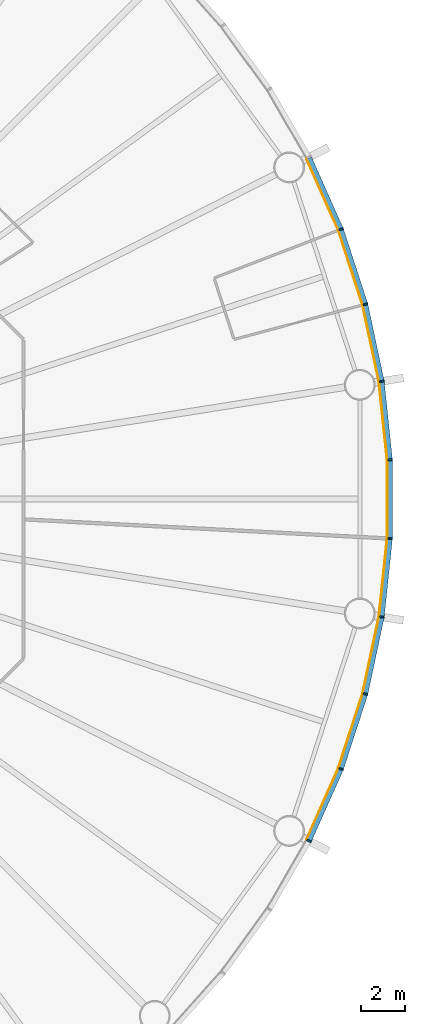
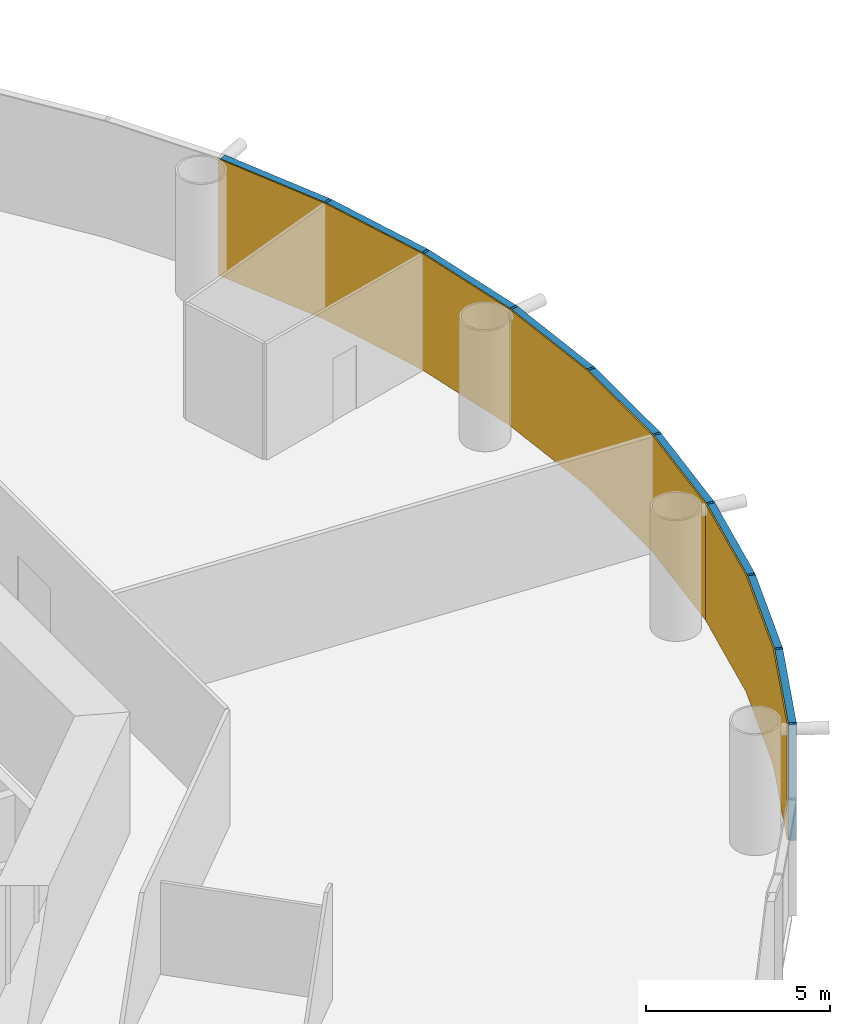
# One storey, part 10 of 12: 18 members, 3 curtain walls.
"""IFC4 building model written with IfcOpenShell, lengths in metres."""

import ifcopenshell
import ifcopenshell.guid

model = None  # the IFC model being written
_history = None  # IfcOwnerHistory: only IFC2X3 demands one
_inside = {}  # id of a spatial element -> (the spatial element, [elements in it])
_under = {}  # id of a project, library or spatial element -> (it, [spatial elements below it])
_declared = {}  # id of a project -> (the project, [libraries it declares])
_typed = {}  # id of a type object -> (the type object, [elements of that type])
_made_of = {}  # id of a material, layer set ... -> (it, [elements and type objects made of it])


def new_model(schema):
    """Start an empty IFC model of exactly this schema.

    Asked for "IFC4X3", IfcOpenShell would pick the latest addendum, in which some entities
    have other attributes; the version numbers below select the first issue.
    IFC2X3 requires an IfcOwnerHistory on every rooted entity: one is made here for all.
    """
    global model, _history
    if schema == "IFC4X3":
        model = ifcopenshell.file(schema_version=(4, 3, 0, 0))
    else:
        model = ifcopenshell.file(schema=schema)
    _inside.clear()
    _under.clear()
    _declared.clear()
    _typed.clear()
    _made_of.clear()
    _history = None
    if model.schema == "IFC2X3":
        org = make("IfcOrganization", Name="unknown")
        user = make(
            "IfcPersonAndOrganization",
            ThePerson=make("IfcPerson", FamilyName="unknown"),
            TheOrganization=org,
        )
        app = make(
            "IfcApplication",
            ApplicationDeveloper=org,
            Version="unknown",
            ApplicationFullName="unknown",
            ApplicationIdentifier="unknown",
        )
        _history = make(
            "IfcOwnerHistory",
            OwningUser=user,
            OwningApplication=app,
            ChangeAction="ADDED",
            CreationDate=0,
        )
    return model


def make(cls, **values):
    """One entity of the class cls with the attributes given. An attribute that is None is left unset."""
    return model.create_entity(
        cls, **{name: value for name, value in values.items() if value is not None}
    )


def rooted(cls, **values):
    """An entity with a GlobalId (a new one), such as an element, a storey or a relation."""
    return make(cls, GlobalId=ifcopenshell.guid.new(), OwnerHistory=_history, **values)


def si_unit(unit_type, name, prefix=None):
    """IfcSIUnit, for example si_unit("LENGTHUNIT", "METRE", prefix="MILLI")."""
    return make("IfcSIUnit", UnitType=unit_type, Prefix=prefix, Name=name)


def assignment(units):
    """IfcUnitAssignment: the units of a project."""
    return None if units is None else make("IfcUnitAssignment", Units=units)


def point(xyz):
    """IfcCartesianPoint."""
    return None if xyz is None else make("IfcCartesianPoint", Coordinates=xyz)


def direction(xyz):
    """IfcDirection."""
    return None if xyz is None else make("IfcDirection", DirectionRatios=xyz)


def frame(location, z_axis=None, x_axis=None):
    """IfcAxis2Placement3D, a coordinate frame: its origin and axes. An axis left out is left unset."""
    return make(
        "IfcAxis2Placement3D",
        Location=point(location),
        Axis=direction(z_axis),
        RefDirection=direction(x_axis),
    )


def frame_2d(location, x_axis=None):
    """IfcAxis2Placement2D, a coordinate frame in the plane: its origin and x axis."""
    return make(
        "IfcAxis2Placement2D", Location=point(location), RefDirection=direction(x_axis)
    )


def origin():
    """The frame at (0, 0, 0) with its axes left unset."""
    return frame((0.0, 0.0, 0.0))


def origin_2d():
    """The frame at (0, 0) in the plane with its x axis left unset."""
    return frame_2d((0.0, 0.0))


def place(relative_to, where):
    """IfcLocalPlacement: puts the frame where relative to a parent placement (None: the world)."""
    return make(
        "IfcLocalPlacement", PlacementRelTo=relative_to, RelativePlacement=where
    )


def context(
    kind, dimensions, precision=None, world=None, true_north=None, identifier=None
):
    """IfcGeometricRepresentationContext, for example the 3D "Model" context."""
    return make(
        "IfcGeometricRepresentationContext",
        ContextIdentifier=identifier,
        ContextType=kind,
        CoordinateSpaceDimension=dimensions,
        Precision=precision,
        WorldCoordinateSystem=world,
        TrueNorth=true_north,
    )


def subcontext(parent, identifier, kind, view, scale=None):
    """IfcGeometricRepresentationSubContext, for example "Body" below "Model"."""
    return make(
        "IfcGeometricRepresentationSubContext",
        ContextIdentifier=identifier,
        ContextType=kind,
        ParentContext=parent,
        TargetScale=scale,
        TargetView=view,
    )


def project(units=None, contexts=None):
    """IfcProject with its units and contexts."""
    return rooted(
        "IfcProject",
        Name="project",
        RepresentationContexts=contexts,
        UnitsInContext=assignment(units),
    )


def spatial(cls, under=None, at=None, **own):
    """A site, building, storey or space (cls), placed at a placement, below another one or the project."""
    s = rooted(cls, ObjectPlacement=at, **own)
    if under is not None:
        _under.setdefault(under.id(), (under, []))[1].append(s)
    return s


def polyline(points):
    """IfcPolyline through the points."""
    return make("IfcPolyline", Points=[point(p) for p in points])


def profile(cls, at=None, kind="AREA", **sizes):
    """A parametric profile (cls). Its sizes go by their IFC names, for example OverallWidth=200.0."""
    return make(cls, ProfileType=kind, Position=at, **sizes)


def rectangle(**sizes):
    """IfcRectangleProfileDef."""
    return profile("IfcRectangleProfileDef", **sizes)


def outline(outer, holes=None, kind="AREA"):
    """IfcArbitraryClosedProfileDef: a profile drawn as a closed curve; with holes, ...WithVoids."""
    if holes is None:
        return make("IfcArbitraryClosedProfileDef", ProfileType=kind, OuterCurve=outer)
    return make(
        "IfcArbitraryProfileDefWithVoids",
        ProfileType=kind,
        OuterCurve=outer,
        InnerCurves=holes,
    )


def extrude(swept, where, along, depth):
    """IfcExtrudedAreaSolid: the profile swept, set in the frame where, extruded along a direction by depth."""
    return make(
        "IfcExtrudedAreaSolid",
        SweptArea=swept,
        Position=where,
        ExtrudedDirection=direction(along),
        Depth=depth,
    )


def shape(context_of_items, identifier, shape_type, items):
    """IfcShapeRepresentation: the items that make up one representation, for example the "Body"."""
    return make(
        "IfcShapeRepresentation",
        ContextOfItems=context_of_items,
        RepresentationIdentifier=identifier,
        RepresentationType=shape_type,
        Items=items,
    )


def material(Name=None, Category=None):
    """IfcMaterial."""
    return make("IfcMaterial", Name=Name, Category=Category)


def layer(
    of_material, thickness, ventilated=None, Name=None, Category=None, Priority=None
):
    """IfcMaterialLayer: one layer of a wall or slab, of a material (None: an air gap)."""
    return make(
        "IfcMaterialLayer",
        Material=of_material,
        LayerThickness=thickness,
        IsVentilated=ventilated,
        Name=Name,
        Category=Category,
        Priority=Priority,
    )


def layer_set(layers, Name=None):
    """IfcMaterialLayerSet."""
    return make("IfcMaterialLayerSet", MaterialLayers=layers, LayerSetName=Name)


def material_profile(
    of_material, cross_section, Name=None, Category=None, Priority=None
):
    """IfcMaterialProfile: a cross section and its material."""
    return make(
        "IfcMaterialProfile",
        Name=Name,
        Material=of_material,
        Profile=cross_section,
        Priority=Priority,
        Category=Category,
    )


def profile_set(profiles, Name=None, composite=None):
    """IfcMaterialProfileSet."""
    return make(
        "IfcMaterialProfileSet",
        Name=Name,
        MaterialProfiles=profiles,
        CompositeProfile=composite,
    )


def made_of(thing, what):
    """Note that an element or type object is made of a material, layer set ...; save() writes the relation."""
    if what is not None:
        _made_of.setdefault(what.id(), (what, []))[1].append(thing)
    return thing


def type_object(cls, material=None, **own):
    """A type object (cls), such as IfcWallType, which elements share."""
    return made_of(rooted(cls, **own), material)


def element(
    cls,
    number,
    at=None,
    inside=None,
    cuts=None,
    type_object=None,
    material=None,
    context=None,
    identifier="Body",
    shape_type=None,
    held_by="IfcProductDefinitionShape",
    body=None,
    shapes=None,
    **own,
):
    """One element of the class cls, such as IfcWall. Its Tag is "e" and its number.

    at: its placement. inside: the storey or other place that contains it. cuts: it is an
    opening in that element (IfcRelVoidsElement). A single representation is given by context,
    identifier, shape_type and body (its items); several are given by shapes. held_by: the class
    of the entity that holds the representations. save() writes the other relations.
    """
    e = rooted(cls, Tag="e%d" % number, ObjectPlacement=at, **own)
    if body is not None:
        shapes = [shape(context, identifier, shape_type, body)]
    if shapes is not None:
        e.Representation = make(held_by, Representations=shapes)
    if inside is not None:
        _inside.setdefault(inside.id(), (inside, []))[1].append(e)
    if cuts is not None:
        rooted(
            "IfcRelVoidsElement", RelatingBuildingElement=cuts, RelatedOpeningElement=e
        )
    if type_object is not None:
        _typed.setdefault(type_object.id(), (type_object, []))[1].append(e)
    return made_of(e, material)


def aggregate(whole, parts):
    """IfcRelAggregates: a whole, such as a stair, and the parts it consists of."""
    return rooted("IfcRelAggregates", RelatingObject=whole, RelatedObjects=parts)


def save(model, path):
    """Write the relations noted so far, then the file.

    IfcRelAggregates (storeys below a building ...), IfcRelContainedInSpatialStructure (elements
    in a storey), IfcRelDefinesByType, IfcRelAssociatesMaterial and IfcRelDeclares: one each for
    every whole, place, type object, material and project.
    """
    for whole, parts in _under.values():
        aggregate(whole, parts)
    for where, things in _inside.values():
        rooted(
            "IfcRelContainedInSpatialStructure",
            RelatedElements=things,
            RelatingStructure=where,
        )
    for kind, things in _typed.values():
        rooted("IfcRelDefinesByType", RelatedObjects=things, RelatingType=kind)
    for what, things in _made_of.values():
        rooted("IfcRelAssociatesMaterial", RelatedObjects=things, RelatingMaterial=what)
    for by, libraries in _declared.values():
        rooted("IfcRelDeclares", RelatingContext=by, RelatedDefinitions=libraries)
    model.write(path)


model = new_model("IFC4")

# Units and contexts
model_context = context("Model", 3, precision=1e-05, world=origin(), true_north=direction((0.0, 1.0)))
body_context = subcontext(model_context, "Body", "Model", "MODEL_VIEW")
ifc_project = project(units=[si_unit("LENGTHUNIT", "METRE"), si_unit("AREAUNIT", "SQUARE_METRE"), si_unit("VOLUMEUNIT", "CUBIC_METRE"), si_unit("PLANEANGLEUNIT", "RADIAN"), si_unit("MASSUNIT", "GRAM", prefix="KILO")], contexts=[model_context])

# Member
ifc_material_1 = material(Name="Anodised aluminium", Category="aluminium")
ifc_material_profile_1 = material_profile(ifc_material_1, rectangle(XDim=0.074951171875, YDim=0.219970703125, at=origin_2d()), Name="Mullion 75 x 220 mm anodised aluminium")
ifc_profile_set_1 = profile_set([ifc_material_profile_1], Name="Anodised aluminium")
member_type_1 = type_object("IfcMemberType", Name="Mullion 75 x 220 mm anodised aluminium", PredefinedType="MULLION", material=ifc_profile_set_1)
site_placement = place(None, origin())
building_placement = place(site_placement, origin())
storey_placement = place(building_placement, frame((0.0, 0.0, 70.0)))
member_1_placement = place(storey_placement, frame((123.68994140625, 85.3359375, 0.0), z_axis=(0.0, 0.0, 1.0), x_axis=(-0.15643446504, 0.987688340595, 0.0)))
member_1 = element("IfcMember", 1, at=member_1_placement, type_object=member_type_1, Name="MULLION L15-00", PredefinedType="MULLION", context=body_context, shape_type="SweptSolid", body=[
    extrude(rectangle(XDim=0.074951171875, YDim=0.219970703125, at=origin_2d()), origin(), (0.0, 0.0, 1.0), 3.85009765625),
])

member_2_placement = place(storey_placement, frame((122.94775390625, 88.828369140625, 0.0), z_axis=(0.0, 0.0, 1.0), x_axis=(-0.258819045103, 0.965925826289, 0.0)))
member_2 = element("IfcMember", 2, at=member_2_placement, type_object=member_type_1, Name="MULLION L15-01", PredefinedType="MULLION", context=body_context, shape_type="SweptSolid", body=[
    extrude(rectangle(XDim=0.074951171875, YDim=0.219970703125, at=origin_2d()), origin(), (0.0, 0.0, 1.0), 3.85009765625),
])

member_3_placement = place(storey_placement, frame((121.844482421875, 92.223876953125, 0.0), z_axis=(0.0, 0.0, 1.0), x_axis=(-0.358367949545, 0.933580426497, 0.0)))
member_3 = element("IfcMember", 3, at=member_3_placement, type_object=member_type_1, Name="MULLION L15-02", PredefinedType="MULLION", context=body_context, shape_type="SweptSolid", body=[
    extrude(rectangle(XDim=0.074951171875, YDim=0.219970703125, at=origin_2d()), origin(), (0.0, 0.0, 1.0), 3.85009765625),
])

member_4_placement = place(storey_placement, frame((120.392333984375, 64.514404296875, 0.0), z_axis=(0.0, 0.0, 1.0), x_axis=(0.45399049974, 0.891006524188, 0.0)))
member_4 = element("IfcMember", 4, at=member_4_placement, type_object=member_type_1, Name="MULLION L15-54", PredefinedType="MULLION", context=body_context, shape_type="SweptSolid", body=[
    extrude(rectangle(XDim=0.074951171875, YDim=0.219970703125, at=origin_2d()), origin(), (0.0, 0.0, 1.0), 3.85009765625),
])

member_5_placement = place(storey_placement, frame((121.844482421875, 67.776123046875, 0.0), z_axis=(0.0, 0.0, 1.0), x_axis=(0.358367949545, 0.933580426497, 0.0)))
member_5 = element("IfcMember", 5, at=member_5_placement, type_object=member_type_1, Name="MULLION L15-55", PredefinedType="MULLION", context=body_context, shape_type="SweptSolid", body=[
    extrude(rectangle(XDim=0.074951171875, YDim=0.219970703125, at=origin_2d()), origin(), (0.0, 0.0, 1.0), 3.85009765625),
])

member_6_placement = place(storey_placement, frame((122.94775390625, 71.171630859375, 0.0), z_axis=(0.0, 0.0, 1.0), x_axis=(0.258819045103, 0.965925826289, 0.0)))
member_6 = element("IfcMember", 6, at=member_6_placement, type_object=member_type_1, Name="MULLION L15-56", PredefinedType="MULLION", context=body_context, shape_type="SweptSolid", body=[
    extrude(rectangle(XDim=0.074951171875, YDim=0.219970703125, at=origin_2d()), origin(), (0.0, 0.0, 1.0), 3.85009765625),
])

member_7_placement = place(storey_placement, frame((123.68994140625, 74.6640625, 0.0), z_axis=(0.0, 0.0, 1.0), x_axis=(0.15643446504, 0.987688340595, 0.0)))
member_7 = element("IfcMember", 7, at=member_7_placement, type_object=member_type_1, Name="MULLION L15-57", PredefinedType="MULLION", context=body_context, shape_type="SweptSolid", body=[
    extrude(rectangle(XDim=0.074951171875, YDim=0.219970703125, at=origin_2d()), origin(), (0.0, 0.0, 1.0), 3.85009765625),
])

member_8_placement = place(storey_placement, frame((124.063232421875, 78.21484375, 0.0), z_axis=(0.0, 0.0, 1.0), x_axis=(0.052335956243, 0.998629534755, 0.0)))
member_8 = element("IfcMember", 8, at=member_8_placement, type_object=member_type_1, Name="MULLION L15-58", PredefinedType="MULLION", context=body_context, shape_type="SweptSolid", body=[
    extrude(rectangle(XDim=0.074951171875, YDim=0.219970703125, at=origin_2d()), origin(), (0.0, 0.0, 1.0), 3.85009765625),
])

member_9_placement = place(storey_placement, frame((124.063232421875, 81.78515625, 0.0), z_axis=(0.0, 0.0, 1.0), x_axis=(-0.052335956243, 0.998629534755, 0.0)))
member_9 = element("IfcMember", 9, at=member_9_placement, type_object=member_type_1, Name="MULLION L15-59", PredefinedType="MULLION", context=body_context, shape_type="SweptSolid", body=[
    extrude(rectangle(XDim=0.074951171875, YDim=0.219970703125, at=origin_2d()), origin(), (0.0, 0.0, 1.0), 3.85009765625),
])

ifc_material_2 = material(Name="Anodised aluminium", Category="aluminium")
ifc_material_profile_2 = material_profile(ifc_material_2, rectangle(XDim=0.219970703125, YDim=0.199951171875, at=origin_2d()), Name="Transom 200 x 220 mm anodised aluminium")
ifc_profile_set_2 = profile_set([ifc_material_profile_2], Name="Anodised aluminium")
member_type_2 = type_object("IfcMemberType", Name="Transom 200 x 220 mm anodised aluminium", PredefinedType="USERDEFINED", material=ifc_profile_set_2)
member_10_placement = place(storey_placement, frame((123.68115234375, 85.37841796875, 3.75), z_axis=(-0.207920776701, 0.978145669426, 0.0), x_axis=(-0.978145669426, -0.207920776701, 0.0)))
member_10 = element("IfcMember", 10, at=member_10_placement, type_object=member_type_2, Name="TRANSOM L15-00", ObjectType="TRANSOM", PredefinedType="USERDEFINED", context=body_context, shape_type="SweptSolid", body=[
    extrude(rectangle(XDim=0.219970703125, YDim=0.199951171875, at=origin_2d()), origin(), (0.0, 0.0, 1.0), 3.48388671875),
])

member_11_placement = place(storey_placement, frame((122.9345703125, 88.869384765625, 3.75), z_axis=(-0.309029029702, 0.951052605696, 0.0), x_axis=(-0.951052605696, -0.309029029702, 0.0)))
member_11 = element("IfcMember", 11, at=member_11_placement, type_object=member_type_2, Name="TRANSOM L15-01", ObjectType="TRANSOM", PredefinedType="USERDEFINED", context=body_context, shape_type="SweptSolid", body=[
    extrude(rectangle(XDim=0.219970703125, YDim=0.199951171875, at=origin_2d()), origin(), (0.0, 0.0, 1.0), 3.484130859375),
])

member_12_placement = place(storey_placement, frame((121.826904296875, 92.263427734375, 3.75), z_axis=(-0.406736576304, 0.913545487371, 0.0), x_axis=(-0.913545487371, -0.406736576304, 0.0)))
member_12 = element("IfcMember", 12, at=member_12_placement, type_object=member_type_2, Name="TRANSOM L15-02", ObjectType="TRANSOM", PredefinedType="USERDEFINED", context=body_context, shape_type="SweptSolid", body=[
    extrude(rectangle(XDim=0.219970703125, YDim=0.199951171875, at=origin_2d()), origin(), (0.0, 0.0, 1.0), 3.48388671875),
])

member_13_placement = place(storey_placement, frame((120.409912109375, 64.553955078125, 3.75), z_axis=(0.406736576304, 0.913545487371, 0.0), x_axis=(-0.913545487371, 0.406736576304, 0.0)))
member_13 = element("IfcMember", 13, at=member_13_placement, type_object=member_type_2, Name="TRANSOM L15-54", ObjectType="TRANSOM", PredefinedType="USERDEFINED", context=body_context, shape_type="SweptSolid", body=[
    extrude(rectangle(XDim=0.219970703125, YDim=0.199951171875, at=origin_2d()), origin(), (0.0, 0.0, 1.0), 3.48388671875),
])

member_14_placement = place(storey_placement, frame((121.85791015625, 67.817138671875, 3.75), z_axis=(0.309029029702, 0.951052605696, 0.0), x_axis=(-0.951052605696, 0.309029029702, 0.0)))
member_14 = element("IfcMember", 14, at=member_14_placement, type_object=member_type_2, Name="TRANSOM L15-55", ObjectType="TRANSOM", PredefinedType="USERDEFINED", context=body_context, shape_type="SweptSolid", body=[
    extrude(rectangle(XDim=0.219970703125, YDim=0.199951171875, at=origin_2d()), origin(), (0.0, 0.0, 1.0), 3.484130859375),
])

member_15_placement = place(storey_placement, frame((122.956787109375, 71.2138671875, 3.75), z_axis=(0.207920776701, 0.978145669426, 0.0), x_axis=(-0.978145669426, 0.207920776701, 0.0)))
member_15 = element("IfcMember", 15, at=member_15_placement, type_object=member_type_2, Name="TRANSOM L15-56", ObjectType="TRANSOM", PredefinedType="USERDEFINED", context=body_context, shape_type="SweptSolid", body=[
    extrude(rectangle(XDim=0.219970703125, YDim=0.199951171875, at=origin_2d()), origin(), (0.0, 0.0, 1.0), 3.48388671875),
])

member_16_placement = place(storey_placement, frame((123.69482421875, 74.70703125, 3.75), z_axis=(0.104484152234, 0.994526551648, 0.0), x_axis=(-0.994526551648, 0.104484152234, 0.0)))
member_16 = element("IfcMember", 16, at=member_16_placement, type_object=member_type_2, Name="TRANSOM L15-57", ObjectType="TRANSOM", PredefinedType="USERDEFINED", context=body_context, shape_type="SweptSolid", body=[
    extrude(rectangle(XDim=0.219970703125, YDim=0.199951171875, at=origin_2d()), origin(), (0.0, 0.0, 1.0), 3.48388671875),
])

member_17_placement = place(storey_placement, frame((124.0634765625, 78.258056640625, 3.75), z_axis=(0.0, 1.0, 0.0), x_axis=(-1.0, 0.0, 0.0)))
member_17 = element("IfcMember", 17, at=member_17_placement, type_object=member_type_2, Name="TRANSOM L15-58", ObjectType="TRANSOM", PredefinedType="USERDEFINED", context=body_context, shape_type="SweptSolid", body=[
    extrude(rectangle(XDim=0.219970703125, YDim=0.199951171875, at=origin_2d()), origin(), (0.0, 0.0, 1.0), 3.48388671875),
])

member_18_placement = place(storey_placement, frame((124.058837890625, 81.828125, 3.75), z_axis=(-0.104484152234, 0.994526551648, 0.0), x_axis=(-0.994526551648, -0.104484152234, 0.0)))
member_18 = element("IfcMember", 18, at=member_18_placement, type_object=member_type_2, Name="TRANSOM L15-59", ObjectType="TRANSOM", PredefinedType="USERDEFINED", context=body_context, shape_type="SweptSolid", body=[
    extrude(rectangle(XDim=0.219970703125, YDim=0.199951171875, at=origin_2d()), origin(), (0.0, 0.0, 1.0), 3.48388671875),
])

# Site, building, storey
site = spatial("IfcSite", under=ifc_project, at=site_placement, CompositionType="ELEMENT")
building = spatial("IfcBuilding", under=site, at=building_placement, Name="Entoto Ring Tower", CompositionType="ELEMENT")
storey = spatial("IfcBuildingStorey", under=building, at=storey_placement, Name="L15", CompositionType="ELEMENT", Elevation=70.0)

# Curtain wall
ifc_material_3 = material(Name="Clear low-iron glass", Category="glass")
ifc_layer = layer(ifc_material_3, 0.0400390625)
ifc_layer_set = layer_set([ifc_layer], Name="Clear low-iron glass")
curtain_wall_type = type_object("IfcCurtainWallType", Name="Curtain wall system CW1 glazing 40 mm", PredefinedType="NOTDEFINED", material=ifc_layer_set)
curtain_wall_1_placement = place(storey_placement, origin())
curtain_wall_1 = element("IfcCurtainWall", 19, at=curtain_wall_1_placement, inside=storey, type_object=curtain_wall_type, Name="CW1 L15-01", PredefinedType="NOTDEFINED", context=body_context, shape_type="SweptSolid", body=[
    extrude(outline(polyline([(123.581298828125, 85.31884765625), (122.841552734375, 88.7998046875), (121.74169921875, 92.1845703125), (120.294189453125, 95.435791015625), (120.258544921875, 95.41748046875), (121.704345703125, 92.170166015625), (122.802734375, 88.78955078125), (123.541748046875, 85.3125), (123.581298828125, 85.31884765625)])), origin(), (0.0, 0.0, 1.0), 3.85009765625),
])

aggregate(curtain_wall_1, [member_1, member_2, member_3, member_10, member_11, member_12])

curtain_wall_2_placement = place(storey_placement, origin())
curtain_wall_2 = element("IfcCurtainWall", 20, at=curtain_wall_2_placement, inside=storey, type_object=curtain_wall_type, Name="CW1 L15-19", PredefinedType="NOTDEFINED", context=body_context, shape_type="SweptSolid", body=[
    extrude(outline(polyline([(120.294189453125, 64.564208984375), (121.74169921875, 67.8154296875), (122.841552734375, 71.2001953125), (123.581298828125, 74.68115234375), (123.541748046875, 74.6875), (122.802734375, 71.21044921875), (121.704345703125, 67.829833984375), (120.258544921875, 64.58251953125), (120.294189453125, 64.564208984375)])), origin(), (0.0, 0.0, 1.0), 3.85009765625),
])

aggregate(curtain_wall_2, [member_4, member_5, member_6, member_13, member_14, member_15])

curtain_wall_3_placement = place(storey_placement, origin())
curtain_wall_3 = element("IfcCurtainWall", 21, at=curtain_wall_3_placement, inside=storey, type_object=curtain_wall_type, Name="CW1 L15-20", PredefinedType="NOTDEFINED", context=body_context, shape_type="SweptSolid", body=[
    extrude(outline(polyline([(123.581298828125, 74.68115234375), (123.953369140625, 78.220458984375), (123.953369140625, 81.779541015625), (123.581298828125, 85.31884765625), (123.541748046875, 85.3125), (123.913330078125, 81.77734375), (123.913330078125, 78.22265625), (123.541748046875, 74.6875), (123.581298828125, 74.68115234375)])), origin(), (0.0, 0.0, 1.0), 3.85009765625),
])

aggregate(curtain_wall_3, [member_7, member_8, member_9, member_16, member_17, member_18])

save(model, "model.ifc")
